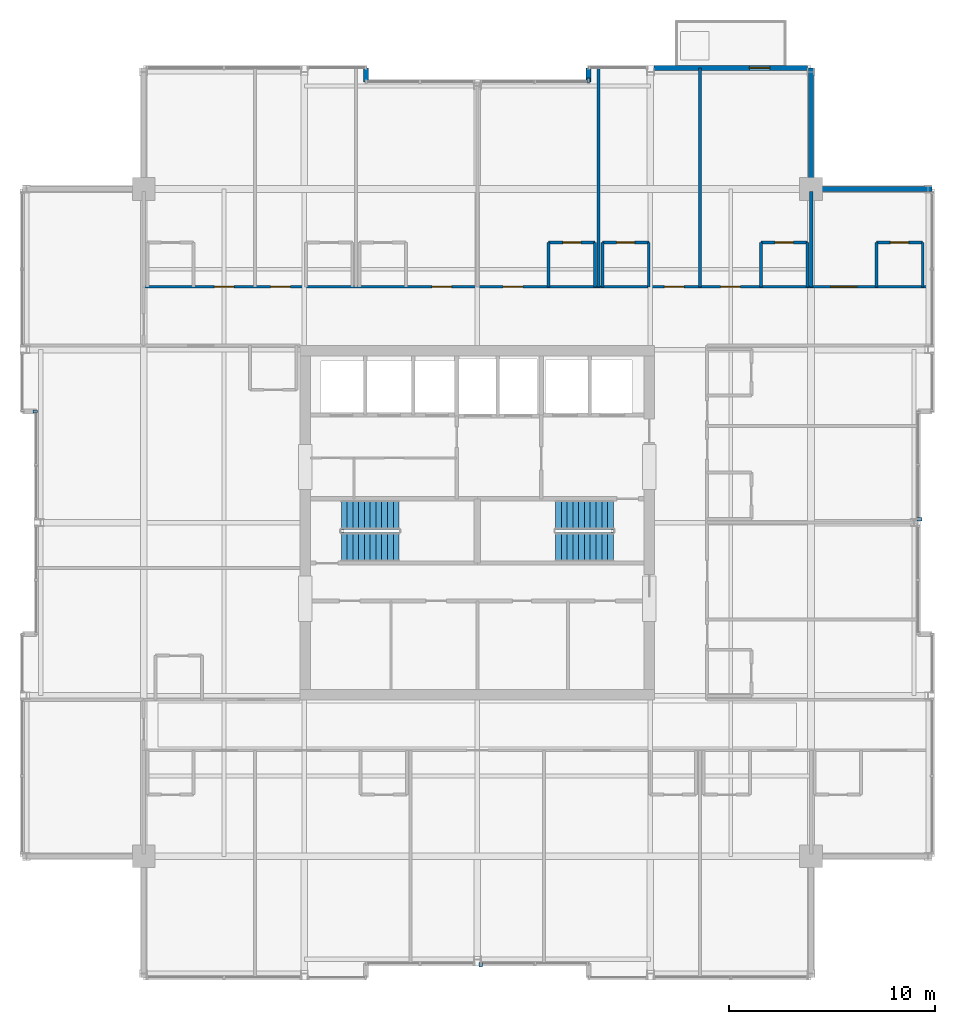
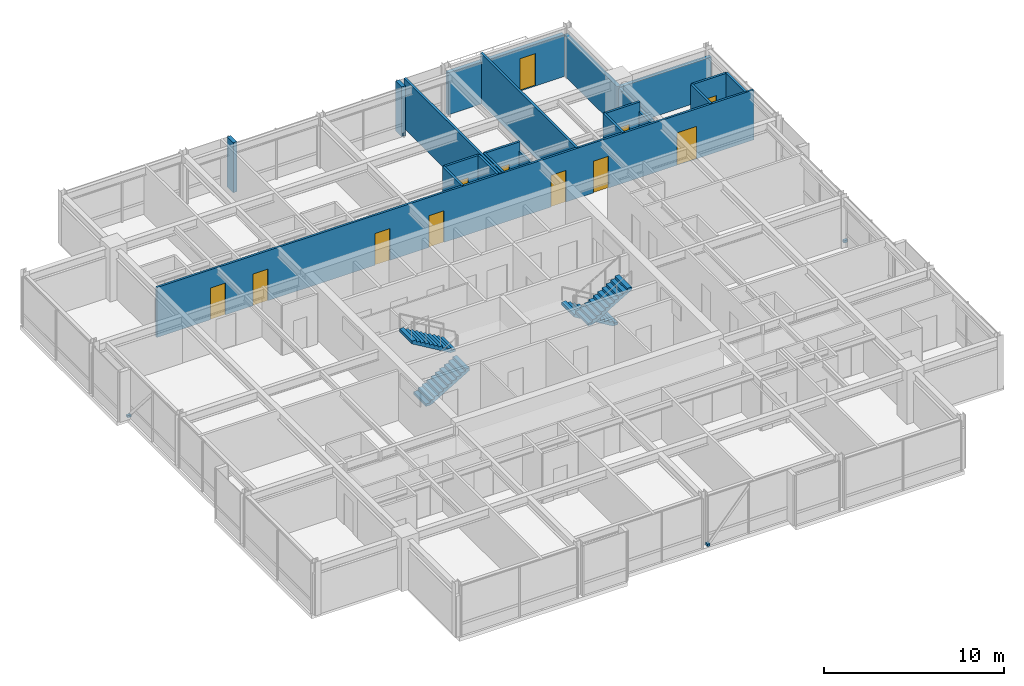
# One storey, part 31 of 34: 21 walls, 12 doors, 4 discrete accessories, 4 stair flights, 12 openings, 2 elements without a shape of their own.
"""IFC4 building model written with IfcOpenShell, lengths in metres."""

from ifc_helpers import new_model, si_unit, direction, frame, frame_2d, origin, origin_2d, place, context, subcontext, project, spatial, polyline, rectangle, outline, extrude, material, layer, layer_set, type_object, element, fill, aggregate, save


model = new_model("IFC4")

# Units and contexts
model_context = context("Model", 3, precision=1e-05, world=origin(), true_north=direction((0.0, 1.0)))
body_context = subcontext(model_context, "Body", "Model", "MODEL_VIEW")
ifc_project = project(units=[si_unit("LENGTHUNIT", "METRE"), si_unit("AREAUNIT", "SQUARE_METRE"), si_unit("VOLUMEUNIT", "CUBIC_METRE"), si_unit("PLANEANGLEUNIT", "RADIAN"), si_unit("MASSUNIT", "GRAM", prefix="KILO")], contexts=[model_context])

# Site, building, storey
site_placement = place(None, origin())
site = spatial("IfcSite", under=ifc_project, at=site_placement, CompositionType="ELEMENT")
building_placement = place(site_placement, origin())
building = spatial("IfcBuilding", under=site, at=building_placement, Name="Drelvath Grand Hotel", CompositionType="ELEMENT")
storey_placement = place(building_placement, frame((0.0, 0.0, 272.300048828125)))
storey = spatial("IfcBuildingStorey", under=building, at=storey_placement, Name="L71", CompositionType="ELEMENT", Elevation=272.300048828125)

# Wall, openings, doors
ifc_material_1 = material(Name="Gypsum Fireboard Partition")
ifc_layer_1 = layer(ifc_material_1, 0.135009765625)
ifc_layer_set_1 = layer_set([ifc_layer_1], Name="Gypsum Fireboard Partition")
wall_type_1 = type_object("IfcWallType", Name="Corridor Fire Barrier Wall 135", PredefinedType="PARTITIONING", material=ifc_layer_set_1)
wall_1_placement = place(storey_placement, frame((-16.199951171875, 38.449951171875, 0.0), z_axis=(0.0, 0.0, 1.0), x_axis=(1.0, 0.0, 0.0)))
wall_1 = element("IfcWall", 1, at=wall_1_placement, inside=storey, type_object=wall_type_1, Name="L71 North Cross-Gallery Wall", PredefinedType="PARTITIONING", context=body_context, shape_type="SweptSolid", body=[
    extrude(rectangle(XDim=38.280029296875, YDim=0.135009765625, at=frame_2d((19.14013671875, 0.0))), origin(), (0.0, 0.0, 1.0), 3.389892578125),
])
opening_1_placement = place(wall_1_placement, frame((33.35498046875, 0.0, 0.0)))
opening_1 = element("IfcOpeningElement", 2, at=opening_1_placement, cuts=wall_1, Name="Opening D-T5G1-025", PredefinedType="OPENING", context=body_context, shape_type="SweptSolid", body=[
    extrude(rectangle(XDim=1.260009765625, YDim=2.199951171875, at=frame_2d((0.6298828125, 1.10009765625))), frame((0.0, 0.077392578125, 0.0), z_axis=(0.0, -1.0, 0.0), x_axis=(1.0, 0.0, 0.0)), (0.0, 0.0, 1.0), 0.155029296875),
])
opening_2_placement = place(wall_1_placement, frame((3.43505859375, 0.0, 0.0)))
opening_2 = element("IfcOpeningElement", 3, at=opening_2_placement, cuts=wall_1, Name="Opening D-T5G1-036", PredefinedType="OPENING", context=body_context, shape_type="SweptSolid", body=[
    extrude(rectangle(XDim=0.9599609375, YDim=2.14990234375, at=frame_2d((0.47998046875, 1.074951171875))), frame((0.0, 0.077392578125, 0.0), z_axis=(0.0, -1.0, 0.0), x_axis=(1.0, 0.0, 0.0)), (0.0, 0.0, 1.0), 0.155029296875),
])
opening_3_placement = place(wall_1_placement, frame((6.15966796875, 0.0, 0.0)))
opening_3 = element("IfcOpeningElement", 4, at=opening_3_placement, cuts=wall_1, Name="Opening D-T5G1-038", PredefinedType="OPENING", context=body_context, shape_type="SweptSolid", body=[
    extrude(rectangle(XDim=0.9599609375, YDim=2.14990234375, at=frame_2d((0.47998046875, 1.074951171875))), frame((0.0, 0.077392578125, 0.0), z_axis=(0.0, -1.0, 0.0), x_axis=(1.0, 0.0, 0.0)), (0.0, 0.0, 1.0), 0.155029296875),
])
opening_4_placement = place(wall_1_placement, frame((13.989501953125, 0.0, 0.0)))
opening_4 = element("IfcOpeningElement", 5, at=opening_4_placement, cuts=wall_1, Name="Opening D-T5G1-040", PredefinedType="OPENING", context=body_context, shape_type="SweptSolid", body=[
    extrude(rectangle(XDim=0.9599609375, YDim=2.14990234375, at=frame_2d((0.47998046875, 1.074951171875))), frame((0.0, 0.077392578125, 0.0), z_axis=(0.0, -1.0, 0.0), x_axis=(1.0, 0.0, 0.0)), (0.0, 0.0, 1.0), 0.155029296875),
])
opening_5_placement = place(wall_1_placement, frame((17.450439453125, 0.0, 0.0)))
opening_5 = element("IfcOpeningElement", 6, at=opening_5_placement, cuts=wall_1, Name="Opening D-T5G1-042", PredefinedType="OPENING", context=body_context, shape_type="SweptSolid", body=[
    extrude(rectangle(XDim=0.9599609375, YDim=2.14990234375, at=frame_2d((0.47998046875, 1.074951171875))), frame((0.0, 0.077392578125, 0.0), z_axis=(0.0, -1.0, 0.0), x_axis=(1.0, 0.0, 0.0)), (0.0, 0.0, 1.0), 0.155029296875),
])
opening_6_placement = place(wall_1_placement, frame((25.280517578125, 0.0, 0.0)))
opening_6 = element("IfcOpeningElement", 7, at=opening_6_placement, cuts=wall_1, Name="Opening D-T5G1-044", PredefinedType="OPENING", context=body_context, shape_type="SweptSolid", body=[
    extrude(rectangle(XDim=0.9599609375, YDim=2.14990234375, at=frame_2d((0.47998046875, 1.074951171875))), frame((0.0, 0.077392578125, 0.0), z_axis=(0.0, -1.0, 0.0), x_axis=(1.0, 0.0, 0.0)), (0.0, 0.0, 1.0), 0.155029296875),
])
opening_7_placement = place(wall_1_placement, frame((28.0048828125, 0.0, 0.0)))
opening_7 = element("IfcOpeningElement", 8, at=opening_7_placement, cuts=wall_1, Name="Opening D-T5G1-046", PredefinedType="OPENING", context=body_context, shape_type="SweptSolid", body=[
    extrude(rectangle(XDim=0.9599609375, YDim=2.14990234375, at=frame_2d((0.47998046875, 1.074951171875))), frame((0.0, 0.077392578125, 0.0), z_axis=(0.0, -1.0, 0.0), x_axis=(1.0, 0.0, 0.0)), (0.0, 0.0, 1.0), 0.155029296875),
])
ifc_material_2 = material(Name="Hardwood Walnut Timber", Category="wood")
door_type_1 = type_object("IfcDoorType", Name="Guestroom Entrance Fire Door 960x2150", OperationType="NOTDEFINED", PredefinedType="DOOR", material=ifc_material_2)
door_1_placement = place(opening_2_placement, origin())
door_1 = element("IfcDoor", 9, at=door_1_placement, inside=storey, type_object=door_type_1, Name="L71 King Guest Room Entry Door", OperationType="SINGLE_SWING_LEFT", OverallHeight=2.14990234375, OverallWidth=0.9599609375, PredefinedType="DOOR", context=body_context, shape_type="SweptSolid", body=[
    extrude(rectangle(XDim=0.9599609375, YDim=2.14990234375, at=frame_2d((0.47998046875, 1.074951171875))), frame((0.0, 0.02490234375, 0.0), z_axis=(0.0, -1.0, 0.0), x_axis=(1.0, 0.0, 0.0)), (0.0, 0.0, 1.0), 0.050048828125),
])
fill(opening_2, door_1)
door_2_placement = place(opening_3_placement, origin())
door_2 = element("IfcDoor", 10, at=door_2_placement, inside=storey, type_object=door_type_1, Name="L71 King Guest Room Entry Door", OperationType="SINGLE_SWING_LEFT", OverallHeight=2.14990234375, OverallWidth=0.9599609375, PredefinedType="DOOR", context=body_context, shape_type="SweptSolid", body=[
    extrude(rectangle(XDim=0.9599609375, YDim=2.14990234375, at=frame_2d((0.47998046875, 1.074951171875))), frame((0.0, 0.02490234375, 0.0), z_axis=(0.0, -1.0, 0.0), x_axis=(1.0, 0.0, 0.0)), (0.0, 0.0, 1.0), 0.050048828125),
])
fill(opening_3, door_2)
door_3_placement = place(opening_4_placement, origin())
door_3 = element("IfcDoor", 11, at=door_3_placement, inside=storey, type_object=door_type_1, Name="L71 King Guest Room Entry Door", OperationType="SINGLE_SWING_LEFT", OverallHeight=2.14990234375, OverallWidth=0.9599609375, PredefinedType="DOOR", context=body_context, shape_type="SweptSolid", body=[
    extrude(rectangle(XDim=0.9599609375, YDim=2.14990234375, at=frame_2d((0.47998046875, 1.074951171875))), frame((0.0, 0.02490234375, 0.0), z_axis=(0.0, -1.0, 0.0), x_axis=(1.0, 0.0, 0.0)), (0.0, 0.0, 1.0), 0.050048828125),
])
fill(opening_4, door_3)
door_4_placement = place(opening_5_placement, origin())
door_4 = element("IfcDoor", 12, at=door_4_placement, inside=storey, type_object=door_type_1, Name="L71 King Guest Room Entry Door", OperationType="SINGLE_SWING_LEFT", OverallHeight=2.14990234375, OverallWidth=0.9599609375, PredefinedType="DOOR", context=body_context, shape_type="SweptSolid", body=[
    extrude(rectangle(XDim=0.9599609375, YDim=2.14990234375, at=frame_2d((0.47998046875, 1.074951171875))), frame((0.0, 0.02490234375, 0.0), z_axis=(0.0, -1.0, 0.0), x_axis=(1.0, 0.0, 0.0)), (0.0, 0.0, 1.0), 0.050048828125),
])
fill(opening_5, door_4)
door_5_placement = place(opening_6_placement, origin())
door_5 = element("IfcDoor", 13, at=door_5_placement, inside=storey, type_object=door_type_1, Name="L71 King Guest Room Entry Door", OperationType="SINGLE_SWING_LEFT", OverallHeight=2.14990234375, OverallWidth=0.9599609375, PredefinedType="DOOR", context=body_context, shape_type="SweptSolid", body=[
    extrude(rectangle(XDim=0.9599609375, YDim=2.14990234375, at=frame_2d((0.47998046875, 1.074951171875))), frame((0.0, 0.02490234375, 0.0), z_axis=(0.0, -1.0, 0.0), x_axis=(1.0, 0.0, 0.0)), (0.0, 0.0, 1.0), 0.050048828125),
])
fill(opening_6, door_5)
door_6_placement = place(opening_7_placement, origin())
door_6 = element("IfcDoor", 14, at=door_6_placement, inside=storey, type_object=door_type_1, Name="L71 King Guest Room Entry Door", OperationType="SINGLE_SWING_LEFT", OverallHeight=2.14990234375, OverallWidth=0.9599609375, PredefinedType="DOOR", context=body_context, shape_type="SweptSolid", body=[
    extrude(rectangle(XDim=0.9599609375, YDim=2.14990234375, at=frame_2d((0.47998046875, 1.074951171875))), frame((0.0, 0.02490234375, 0.0), z_axis=(0.0, -1.0, 0.0), x_axis=(1.0, 0.0, 0.0)), (0.0, 0.0, 1.0), 0.050048828125),
])
fill(opening_7, door_6)
door_type_2 = type_object("IfcDoorType", Name="Suite Entrance Fire Door 1260x2200", OperationType="NOTDEFINED", PredefinedType="DOOR", material=ifc_material_2)
door_7_placement = place(opening_1_placement, origin())
door_7 = element("IfcDoor", 15, at=door_7_placement, inside=storey, type_object=door_type_2, Name="L71 Royal Suite Entry Door", OperationType="SINGLE_SWING_RIGHT", OverallHeight=2.199951171875, OverallWidth=1.260009765625, PredefinedType="DOOR", context=body_context, shape_type="SweptSolid", body=[
    extrude(rectangle(XDim=1.260009765625, YDim=2.199951171875, at=frame_2d((0.6298828125, 1.10009765625))), frame((0.0, 0.02490234375, 0.0), z_axis=(0.0, -1.0, 0.0), x_axis=(1.0, 0.0, 0.0)), (0.0, 0.0, 1.0), 0.050048828125),
])
fill(opening_1, door_7)

# Walls
ifc_material_3 = material(Name="Moisture-Resistant Gypsum Board")
ifc_layer_2 = layer(ifc_material_3, 0.139892578125)
ifc_layer_set_2 = layer_set([ifc_layer_2], Name="Moisture-Resistant Gypsum Board")
wall_type_2 = type_object("IfcWallType", Name="En-Suite Plumbing Wall 140", PredefinedType="PLUMBINGWALL", material=ifc_layer_set_2)
for number, where, z_axis, x_axis, name in (
    (16, (19.3701171875, 38.449951171875, 0.0), (0.0, 0.0, 1.0), (0.0, 1.0, 0.0), "L71 En-Suite Left Wall"),
    (17, (21.6201171875, 38.449951171875, 0.0), (0.0, 0.0, 1.0), (0.0, 1.0, 0.0), "L71 En-Suite Right Wall"),
):
    element("IfcWall", number, at=place(storey_placement, frame(where, z_axis=z_axis, x_axis=x_axis)), inside=storey, type_object=wall_type_2, Name=name, PredefinedType="PLUMBINGWALL", context=body_context, shape_type="SweptSolid", body=[
        extrude(rectangle(XDim=2.150146484375, YDim=0.139892578125, at=frame_2d((1.0751953125, 0.0))), origin(), (0.0, 0.0, 1.0), 3.389892578125),
    ])

# Wall, opening, door
wall_2_placement = place(storey_placement, frame((19.3701171875, 40.60009765625, 0.0), z_axis=(0.0, 0.0, 1.0), x_axis=(1.0, 0.0, 0.0)))
wall_2 = element("IfcWall", 18, at=wall_2_placement, inside=storey, type_object=wall_type_2, Name="L71 En-Suite Front Wall", PredefinedType="PLUMBINGWALL", context=body_context, shape_type="SweptSolid", body=[
    extrude(rectangle(XDim=2.25, YDim=0.139892578125, at=frame_2d((1.125, 0.0))), origin(), (0.0, 0.0, 1.0), 3.389892578125),
])
opening_8_placement = place(wall_2_placement, frame((0.68505859375, 0.0, 0.0)))
opening_8 = element("IfcOpeningElement", 19, at=opening_8_placement, cuts=wall_2, Name="Opening D-T5G1-024", PredefinedType="OPENING", context=body_context, shape_type="SweptSolid", body=[
    extrude(rectangle(XDim=0.8798828125, YDim=2.10009765625, at=frame_2d((0.43994140625, 1.050048828125))), frame((0.0, 0.079833984375, 0.0), z_axis=(0.0, -1.0, 0.0), x_axis=(1.0, 0.0, 0.0)), (0.0, 0.0, 1.0), 0.159912109375),
])
door_type_3 = type_object("IfcDoorType", Name="En-Suite Bathroom Door 880x2100", OperationType="NOTDEFINED", PredefinedType="DOOR", material=ifc_material_2)
door_8_placement = place(opening_8_placement, origin())
door_8 = element("IfcDoor", 20, at=door_8_placement, inside=storey, type_object=door_type_3, Name="L71 En-Suite Bathroom Door", OperationType="SINGLE_SWING_LEFT", OverallHeight=2.10009765625, OverallWidth=0.8798828125, PredefinedType="DOOR", context=body_context, shape_type="SweptSolid", body=[
    extrude(rectangle(XDim=0.8798828125, YDim=2.10009765625, at=frame_2d((0.43994140625, 1.050048828125))), frame((0.0, 0.02490234375, 0.0), z_axis=(0.0, -1.0, 0.0), x_axis=(1.0, 0.0, 0.0)), (0.0, 0.0, 1.0), 0.050048828125),
])
fill(opening_8, door_8)

# Walls
for number, where, z_axis, x_axis, name in (
    (21, (3.4609375, 38.449951171875, 0.0), (0.0, 0.0, 1.0), (0.0, 1.0, 0.0), "L71 En-Suite Left Wall"),
    (22, (5.7109375, 38.449951171875, 0.0), (0.0, 0.0, 1.0), (0.0, 1.0, 0.0), "L71 En-Suite Right Wall"),
):
    element("IfcWall", number, at=place(storey_placement, frame(where, z_axis=z_axis, x_axis=x_axis)), inside=storey, type_object=wall_type_2, Name=name, PredefinedType="PLUMBINGWALL", context=body_context, shape_type="SweptSolid", body=[
        extrude(rectangle(XDim=2.150146484375, YDim=0.139892578125, at=frame_2d((1.0751953125, 0.0))), origin(), (0.0, 0.0, 1.0), 3.389892578125),
    ])

# Wall, opening, door
wall_3_placement = place(storey_placement, frame((3.4609375, 40.60009765625, 0.0), z_axis=(0.0, 0.0, 1.0), x_axis=(1.0, 0.0, 0.0)))
wall_3 = element("IfcWall", 23, at=wall_3_placement, inside=storey, type_object=wall_type_2, Name="L71 En-Suite Front Wall", PredefinedType="PLUMBINGWALL", context=body_context, shape_type="SweptSolid", body=[
    extrude(rectangle(XDim=2.25, YDim=0.139892578125, at=frame_2d((1.125, 0.0))), origin(), (0.0, 0.0, 1.0), 3.389892578125),
])
opening_9_placement = place(wall_3_placement, frame((0.68505859375, 0.0, 0.0)))
opening_9 = element("IfcOpeningElement", 24, at=opening_9_placement, cuts=wall_3, Name="Opening D-T5G1-041", PredefinedType="OPENING", context=body_context, shape_type="SweptSolid", body=[
    extrude(rectangle(XDim=0.8798828125, YDim=2.10009765625, at=frame_2d((0.43994140625, 1.050048828125))), frame((0.0, 0.079833984375, 0.0), z_axis=(0.0, -1.0, 0.0), x_axis=(1.0, 0.0, 0.0)), (0.0, 0.0, 1.0), 0.159912109375),
])
door_9_placement = place(opening_9_placement, origin())
door_9 = element("IfcDoor", 25, at=door_9_placement, inside=storey, type_object=door_type_3, Name="L71 En-Suite Bathroom Door", OperationType="SINGLE_SWING_RIGHT", OverallHeight=2.10009765625, OverallWidth=0.8798828125, PredefinedType="DOOR", context=body_context, shape_type="SweptSolid", body=[
    extrude(rectangle(XDim=0.8798828125, YDim=2.10009765625, at=frame_2d((0.43994140625, 1.050048828125))), frame((0.0, 0.02490234375, 0.0), z_axis=(0.0, -1.0, 0.0), x_axis=(1.0, 0.0, 0.0)), (0.0, 0.0, 1.0), 0.050048828125),
])
fill(opening_9, door_9)

# Walls
wall_4_placement = place(storey_placement, frame((6.07080078125, 38.449951171875, 0.0), z_axis=(0.0, 0.0, 1.0), x_axis=(0.0, 1.0, 0.0)))
element("IfcWall", 26, at=wall_4_placement, inside=storey, type_object=wall_type_2, Name="L71 En-Suite Left Wall", PredefinedType="PLUMBINGWALL", context=body_context, shape_type="SweptSolid", body=[
    extrude(rectangle(XDim=2.150146484375, YDim=0.139892578125, at=frame_2d((1.0751953125, 0.0))), origin(), (0.0, 0.0, 1.0), 3.389892578125),
])
wall_5_placement = place(storey_placement, frame((8.32080078125, 38.449951171875, 0.0), z_axis=(0.0, 0.0, 1.0), x_axis=(0.0, 1.0, 0.0)))
element("IfcWall", 27, at=wall_5_placement, inside=storey, type_object=wall_type_2, Name="L71 En-Suite Right Wall", PredefinedType="PLUMBINGWALL", context=body_context, shape_type="SweptSolid", body=[
    extrude(rectangle(XDim=2.150146484375, YDim=0.139892578125, at=frame_2d((1.0751953125, 0.0))), origin(), (0.0, 0.0, 1.0), 2.767333984375),
])

# Wall, opening, door
wall_6_placement = place(storey_placement, frame((6.07080078125, 40.60009765625, 0.0), z_axis=(0.0, 0.0, 1.0), x_axis=(1.0, 0.0, 0.0)))
wall_6 = element("IfcWall", 28, at=wall_6_placement, inside=storey, type_object=wall_type_2, Name="L71 En-Suite Front Wall", PredefinedType="PLUMBINGWALL", context=body_context, shape_type="SweptSolid", body=[
    extrude(rectangle(XDim=2.25, YDim=0.139892578125, at=frame_2d((1.125, 0.0))), origin(), (0.0, 0.0, 1.0), 3.389892578125),
])
opening_10_placement = place(wall_6_placement, frame((0.68505859375, 0.0, 0.0)))
opening_10 = element("IfcOpeningElement", 29, at=opening_10_placement, cuts=wall_6, Name="Opening D-T5G1-043", PredefinedType="OPENING", context=body_context, shape_type="SweptSolid", body=[
    extrude(rectangle(XDim=0.8798828125, YDim=2.10009765625, at=frame_2d((0.43994140625, 1.050048828125))), frame((0.0, 0.079833984375, 0.0), z_axis=(0.0, -1.0, 0.0), x_axis=(1.0, 0.0, 0.0)), (0.0, 0.0, 1.0), 0.159912109375),
])
door_10_placement = place(opening_10_placement, origin())
door_10 = element("IfcDoor", 30, at=door_10_placement, inside=storey, type_object=door_type_3, Name="L71 En-Suite Bathroom Door", OperationType="SINGLE_SWING_RIGHT", OverallHeight=2.10009765625, OverallWidth=0.8798828125, PredefinedType="DOOR", context=body_context, shape_type="SweptSolid", body=[
    extrude(rectangle(XDim=0.8798828125, YDim=2.10009765625, at=frame_2d((0.43994140625, 1.050048828125))), frame((0.0, 0.02490234375, 0.0), z_axis=(0.0, -1.0, 0.0), x_axis=(1.0, 0.0, 0.0)), (0.0, 0.0, 1.0), 0.050048828125),
])
fill(opening_10, door_10)

# Walls
wall_7_placement = place(storey_placement, frame((13.77001953125, 38.449951171875, 0.0), z_axis=(0.0, 0.0, 1.0), x_axis=(0.0, 1.0, 0.0)))
element("IfcWall", 31, at=wall_7_placement, inside=storey, type_object=wall_type_2, Name="L71 En-Suite Left Wall", PredefinedType="PLUMBINGWALL", context=body_context, shape_type="SweptSolid", body=[
    extrude(rectangle(XDim=2.150146484375, YDim=0.139892578125, at=frame_2d((1.0751953125, 0.0))), origin(), (0.0, 0.0, 1.0), 3.389892578125),
])
wall_8_placement = place(storey_placement, frame((16.02001953125, 38.449951171875, 0.0), z_axis=(0.0, 0.0, 1.0), x_axis=(0.0, 1.0, 0.0)))
element("IfcWall", 32, at=wall_8_placement, inside=storey, type_object=wall_type_2, Name="L71 En-Suite Right Wall", PredefinedType="PLUMBINGWALL", context=body_context, shape_type="SweptSolid", body=[
    extrude(rectangle(XDim=2.150146484375, YDim=0.139892578125, at=frame_2d((1.0751953125, 0.0))), origin(), (0.0, 0.0, 1.0), 2.763916015625),
])

# Wall, opening, door
wall_9_placement = place(storey_placement, frame((13.77001953125, 40.60009765625, 0.0), z_axis=(0.0, 0.0, 1.0), x_axis=(1.0, 0.0, 0.0)))
wall_9 = element("IfcWall", 33, at=wall_9_placement, inside=storey, type_object=wall_type_2, Name="L71 En-Suite Front Wall", PredefinedType="PLUMBINGWALL", context=body_context, shape_type="SweptSolid", body=[
    extrude(rectangle(XDim=2.25, YDim=0.139892578125, at=frame_2d((1.125, 0.0))), origin(), (0.0, 0.0, 1.0), 3.389892578125),
])
opening_11_placement = place(wall_9_placement, frame((0.68505859375, 0.0, 0.0)))
opening_11 = element("IfcOpeningElement", 34, at=opening_11_placement, cuts=wall_9, Name="Opening D-T5G1-045", PredefinedType="OPENING", context=body_context, shape_type="SweptSolid", body=[
    extrude(rectangle(XDim=0.8798828125, YDim=2.10009765625, at=frame_2d((0.43994140625, 1.050048828125))), frame((0.0, 0.079833984375, 0.0), z_axis=(0.0, -1.0, 0.0), x_axis=(1.0, 0.0, 0.0)), (0.0, 0.0, 1.0), 0.159912109375),
])
door_11_placement = place(opening_11_placement, origin())
door_11 = element("IfcDoor", 35, at=door_11_placement, inside=storey, type_object=door_type_3, Name="L71 En-Suite Bathroom Door", OperationType="SINGLE_SWING_RIGHT", OverallHeight=2.10009765625, OverallWidth=0.8798828125, PredefinedType="DOOR", context=body_context, shape_type="SweptSolid", body=[
    extrude(rectangle(XDim=0.8798828125, YDim=2.10009765625, at=frame_2d((0.43994140625, 1.050048828125))), frame((0.0, 0.02490234375, 0.0), z_axis=(0.0, -1.0, 0.0), x_axis=(1.0, 0.0, 0.0)), (0.0, 0.0, 1.0), 0.050048828125),
])
fill(opening_11, door_11)

# Walls
ifc_material_4 = material(Name="Gypsum Acoustic Partition")
ifc_layer_3 = layer(ifc_material_4, 0.14990234375)
ifc_layer_set_3 = layer_set([ifc_layer_3], Name="Gypsum Acoustic Partition")
wall_type_3 = type_object("IfcWallType", Name="Guestroom Demising Wall 150", PredefinedType="PARTITIONING", material=ifc_layer_set_3)
for number, where, z_axis, x_axis, name in (
    (36, (5.890869140625, 38.449951171875, 0.0), (0.0, 0.0, 1.0), (0.0, 1.0, 0.0), "L71 North Demising 4"),
    (37, (10.800048828125, 38.449951171875, 0.0), (0.0, 0.0, 1.0), (0.0, 1.0, 0.0), "L71 North Demising 5"),
):
    element("IfcWall", number, at=place(storey_placement, frame(where, z_axis=z_axis, x_axis=x_axis)), inside=storey, type_object=wall_type_3, Name=name, PredefinedType="PARTITIONING", context=body_context, shape_type="SweptSolid", body=[
        extrude(rectangle(XDim=10.630126953125, YDim=0.14990234375, at=frame_2d((5.31494140625, 0.0))), origin(), (0.0, 0.0, 1.0), 3.389892578125),
    ])
ifc_layer_4 = layer(ifc_material_4, 0.1650390625)
ifc_layer_set_4 = layer_set([ifc_layer_4], Name="Gypsum Acoustic Partition")
wall_type_4 = type_object("IfcWallType", Name="Suite Demising Wall 165", PredefinedType="PARTITIONING", material=ifc_layer_set_4)
wall_10_placement = place(storey_placement, frame((16.199951171875, 38.449951171875, 0.0), z_axis=(0.0, 0.0, 1.0), x_axis=(0.0, 1.0, 0.0)))
element("IfcWall", 38, at=wall_10_placement, inside=storey, type_object=wall_type_4, Name="L71 NE Suite Wall", PredefinedType="PARTITIONING", context=body_context, shape_type="SweptSolid", body=[
    extrude(rectangle(XDim=4.630126953125, YDim=0.1650390625, at=frame_2d((2.31494140625, 0.0))), origin(), (0.0, 0.0, 1.0), 2.763916015625),
])

# Wall, opening, door
ifc_material_5 = material(Name="Pale-Metal Insulated Aluminium Spandrel Assembly", Category="aluminium")
ifc_layer_5 = layer(ifc_material_5, 0.239990234375)
ifc_layer_set_5 = layer_set([ifc_layer_5], Name="Pale-Metal Insulated Aluminium Spandrel Assembly")
wall_type_5 = type_object("IfcWallType", Name="Tower Insulated Metal Spandrel Closure Wall 240", PredefinedType="STANDARD", material=ifc_layer_set_5)
wall_11_placement = place(storey_placement, frame((8.570068359375, 49.080078125, 0.0), z_axis=(0.0, 0.0, 1.0), x_axis=(1.0, 0.0, 0.0)))
wall_11 = element("IfcWall", 39, at=wall_11_placement, inside=storey, type_object=wall_type_5, Name="L71 Exterior Terrace Door Bay Wall NE2", PredefinedType="STANDARD", context=body_context, shape_type="SweptSolid", body=[
    extrude(rectangle(XDim=7.459716796875, YDim=0.239990234375, at=frame_2d((3.72998046875, 0.0))), origin(), (0.0, 0.0, 1.0), 2.853271484375),
])
opening_12_placement = place(wall_11_placement, frame((4.6298828125, 0.0, 0.0)))
opening_12 = element("IfcOpeningElement", 40, at=opening_12_placement, cuts=wall_11, Name="Opening TD-1000", PredefinedType="OPENING", context=body_context, shape_type="SweptSolid", body=[
    extrude(rectangle(XDim=1.0, YDim=2.199951171875, at=frame_2d((0.5, 1.10009765625))), frame((0.0, 0.1298828125, 0.0), z_axis=(0.0, -1.0, 0.0), x_axis=(1.0, 0.0, 0.0)), (0.0, 0.0, 1.0), 0.260009765625),
])
ifc_material_6 = material(Name="Anodised Aluminium Thermally Broken Glazed Door", Category="aluminium")
door_type_4 = type_object("IfcDoorType", Name="Terrace and Tree Balcony Glazed Door 1000x2200", OperationType="NOTDEFINED", PredefinedType="DOOR", material=ifc_material_6)
door_12_placement = place(opening_12_placement, origin())
door_12 = element("IfcDoor", 41, at=door_12_placement, inside=storey, type_object=door_type_4, Name="L71 Tree Balcony Door DOOR-L71-TBAL-1", OperationType="SINGLE_SWING_LEFT", OverallHeight=2.199951171875, OverallWidth=1.0, PredefinedType="DOOR", context=body_context, shape_type="SweptSolid", body=[
    extrude(rectangle(XDim=1.0, YDim=2.199951171875, at=frame_2d((0.5, 1.10009765625))), frame((0.0, 0.02490234375, 0.0), z_axis=(0.0, -1.0, 0.0), x_axis=(1.0, 0.0, 0.0)), (0.0, 0.0, 1.0), 0.050048828125),
])
fill(opening_12, door_12)

# Walls
for number, where, z_axis, x_axis, name in (
    (42, (16.199951171875, 49.080078125, 0.0), (0.0, 0.0, 1.0), (0.0, -1.0, 0.0), "L71 Notched Corner Return Spandrel Wall CNE1"),
    (43, (16.199951171875, 43.199951171875, 0.0), (0.0, 0.0, 1.0), (1.0, 0.0, 0.0), "L71 Notched Corner Return Spandrel Wall CNE2"),
):
    element("IfcWall", number, at=place(storey_placement, frame(where, z_axis=z_axis, x_axis=x_axis)), inside=storey, type_object=wall_type_5, Name=name, PredefinedType="STANDARD", context=body_context, shape_type="SweptSolid", body=[
        extrude(rectangle(XDim=5.880126953125, YDim=0.239990234375, at=frame_2d((2.93994140625, 0.0))), origin(), (0.0, 0.0, 1.0), 2.779052734375),
    ])
for number, where, z_axis, x_axis, name in (
    (44, (-5.39990234375, 49.080078125, 0.0), (0.0, 0.0, 1.0), (0.0, -1.0, 0.0), "L71 Notched Corner Return Spandrel Wall RN1"),
    (45, (5.39990234375, 48.39990234375, 0.0), (0.0, 0.0, 1.0), (0.0, 1.0, 0.0), "L71 Notched Corner Return Spandrel Wall RN2"),
):
    element("IfcWall", number, at=place(storey_placement, frame(where, z_axis=z_axis, x_axis=x_axis)), inside=storey, type_object=wall_type_5, Name=name, PredefinedType="STANDARD", context=body_context, shape_type="SweptSolid", body=[
        extrude(rectangle(XDim=0.68017578125, YDim=0.239990234375, at=frame_2d((0.340087890625, 0.0))), origin(), (0.0, 0.0, 1.0), 3.389892578125),
    ])

# Stair, stair flights
ifc_material_7 = material(Name="Concrete C40/50", Category="concrete")
stair_type = type_object("IfcStairType", Name="Dogleg Exit Stair W1400-R165.9", PredefinedType="HALF_TURN_STAIR", material=ifc_material_7)
stair_1_placement = place(storey_placement, origin())
stair_1 = element("IfcStair", 46, at=stair_1_placement, inside=storey, type_object=stair_type, Name="L71 Core Exit Stair ST-1", PredefinedType="HALF_TURN_STAIR")
stair_flight_type = type_object("IfcStairFlightType", Name="Concrete Stair Flight W1400-R165.9", PredefinedType="STRAIGHT", material=ifc_material_7)
stair_flight_1_placement = place(storey_placement, frame((-6.60009765625, 25.820068359375, 0.0), z_axis=(0.0, 0.0, 1.0), x_axis=(1.0, 0.0, 0.0)))
stair_flight_1 = element("IfcStairFlight", 47, at=stair_flight_1_placement, type_object=stair_flight_type, Name="ST-1 flight 1", NumberOfRisers=11, NumberOfTreads=10, PredefinedType="STRAIGHT", RiserHeight=0.165909091, TreadLength=0.28, context=body_context, shape_type="SweptSolid", body=[
    extrude(outline(polyline([(0.0, 0.0), (0.0, 0.166015625), (0.280029296875, 0.166015625), (0.280029296875, 0.331787109375), (0.56005859375, 0.331787109375), (0.56005859375, 0.497802734375), (0.840087890625, 0.497802734375), (0.840087890625, 0.66357421875), (1.1201171875, 0.66357421875), (1.1201171875, 0.82958984375), (1.39990234375, 0.82958984375), (1.39990234375, 0.995361328125), (1.679931640625, 0.995361328125), (1.679931640625, 1.161376953125), (1.9599609375, 1.161376953125), (1.9599609375, 1.327392578125), (2.239990234375, 1.327392578125), (2.239990234375, 1.4931640625), (2.52001953125, 1.4931640625), (2.52001953125, 1.6591796875), (2.800048828125, 1.6591796875), (2.800048828125, 1.824951171875), (2.800048828125, 1.47314453125), (0.313720703125, 0.0), (0.0, 0.0)])), frame((0.0, 0.699951171875, 0.0), z_axis=(0.0, -1.0, 0.0), x_axis=(1.0, 0.0, 0.0)), (0.0, 0.0, 1.0), 1.39990234375),
])
stair_flight_2_placement = place(storey_placement, frame((-3.800048828125, 27.3798828125, 1.824951171875), z_axis=(0.0, 0.0, 1.0), x_axis=(-1.0, 0.0, 0.0)))
stair_flight_2 = element("IfcStairFlight", 48, at=stair_flight_2_placement, type_object=stair_flight_type, Name="ST-1 flight 2", NumberOfRisers=11, NumberOfTreads=10, PredefinedType="STRAIGHT", RiserHeight=0.165909091, TreadLength=0.28, context=body_context, shape_type="SweptSolid", body=[
    extrude(outline(polyline([(0.0, 0.0), (0.0, 0.166015625), (0.280029296875, 0.166015625), (0.280029296875, 0.331787109375), (0.56005859375, 0.331787109375), (0.56005859375, 0.497802734375), (0.840087890625, 0.497802734375), (0.840087890625, 0.66357421875), (1.1201171875, 0.66357421875), (1.1201171875, 0.82958984375), (1.39990234375, 0.82958984375), (1.39990234375, 0.995361328125), (1.679931640625, 0.995361328125), (1.679931640625, 1.161376953125), (1.9599609375, 1.161376953125), (1.9599609375, 1.327392578125), (2.239990234375, 1.327392578125), (2.239990234375, 1.4931640625), (2.52001953125, 1.4931640625), (2.52001953125, 1.6591796875), (2.800048828125, 1.6591796875), (2.800048828125, 1.824951171875), (2.800048828125, 1.47314453125), (0.313720703125, 0.0), (0.0, 0.0)])), frame((0.0, 0.699951171875, 0.0), z_axis=(0.0, -1.0, 0.0), x_axis=(1.0, 0.0, 0.0)), (0.0, 0.0, 1.0), 1.39990234375),
])
aggregate(stair_1, [stair_flight_1, stair_flight_2])

stair_2_placement = place(storey_placement, origin())
stair_2 = element("IfcStair", 49, at=stair_2_placement, inside=storey, type_object=stair_type, Name="L71 Core Exit Stair ST-2", PredefinedType="HALF_TURN_STAIR")
stair_flight_3_placement = place(storey_placement, frame((6.60009765625, 27.3798828125, 0.0), z_axis=(0.0, 0.0, 1.0), x_axis=(-1.0, 0.0, 0.0)))
stair_flight_3 = element("IfcStairFlight", 50, at=stair_flight_3_placement, type_object=stair_flight_type, Name="ST-2 flight 1", NumberOfRisers=11, NumberOfTreads=10, PredefinedType="STRAIGHT", RiserHeight=0.165909091, TreadLength=0.28, context=body_context, shape_type="SweptSolid", body=[
    extrude(outline(polyline([(0.0, 0.0), (0.0, 0.166015625), (0.280029296875, 0.166015625), (0.280029296875, 0.331787109375), (0.56005859375, 0.331787109375), (0.56005859375, 0.497802734375), (0.840087890625, 0.497802734375), (0.840087890625, 0.66357421875), (1.1201171875, 0.66357421875), (1.1201171875, 0.82958984375), (1.39990234375, 0.82958984375), (1.39990234375, 0.995361328125), (1.679931640625, 0.995361328125), (1.679931640625, 1.161376953125), (1.9599609375, 1.161376953125), (1.9599609375, 1.327392578125), (2.239990234375, 1.327392578125), (2.239990234375, 1.4931640625), (2.52001953125, 1.4931640625), (2.52001953125, 1.6591796875), (2.800048828125, 1.6591796875), (2.800048828125, 1.824951171875), (2.800048828125, 1.47314453125), (0.313720703125, 0.0), (0.0, 0.0)])), frame((0.0, 0.699951171875, 0.0), z_axis=(0.0, -1.0, 0.0), x_axis=(1.0, 0.0, 0.0)), (0.0, 0.0, 1.0), 1.39990234375),
])
stair_flight_4_placement = place(storey_placement, frame((3.800048828125, 25.820068359375, 1.824951171875), z_axis=(0.0, 0.0, 1.0), x_axis=(1.0, 0.0, 0.0)))
stair_flight_4 = element("IfcStairFlight", 51, at=stair_flight_4_placement, type_object=stair_flight_type, Name="ST-2 flight 2", NumberOfRisers=11, NumberOfTreads=10, PredefinedType="STRAIGHT", RiserHeight=0.165909091, TreadLength=0.28, context=body_context, shape_type="SweptSolid", body=[
    extrude(outline(polyline([(0.0, 0.0), (0.0, 0.166015625), (0.280029296875, 0.166015625), (0.280029296875, 0.331787109375), (0.56005859375, 0.331787109375), (0.56005859375, 0.497802734375), (0.840087890625, 0.497802734375), (0.840087890625, 0.66357421875), (1.1201171875, 0.66357421875), (1.1201171875, 0.82958984375), (1.39990234375, 0.82958984375), (1.39990234375, 0.995361328125), (1.679931640625, 0.995361328125), (1.679931640625, 1.161376953125), (1.9599609375, 1.161376953125), (1.9599609375, 1.327392578125), (2.239990234375, 1.327392578125), (2.239990234375, 1.4931640625), (2.52001953125, 1.4931640625), (2.52001953125, 1.6591796875), (2.800048828125, 1.6591796875), (2.800048828125, 1.824951171875), (2.800048828125, 1.47314453125), (0.313720703125, 0.0), (0.0, 0.0)])), frame((0.0, 0.699951171875, 0.0), z_axis=(0.0, -1.0, 0.0), x_axis=(1.0, 0.0, 0.0)), (0.0, 0.0, 1.0), 1.39990234375),
])
aggregate(stair_2, [stair_flight_3, stair_flight_4])

# Discrete accessories
ifc_material_8 = material(Name="Stainless Steel Grade 316", Category="steel")
discrete_accessory_type = type_object("IfcDiscreteAccessoryType", Name="Curtain Wall Fin Mounting Bracket Cleat", PredefinedType="BRACKET", material=ifc_material_8)
for number, where, z_axis, x_axis, name in (
    (52, (-21.4599609375, 32.39990234375, 0.10009765625), (0.0, 0.0, 1.0), (0.0, 1.0, 0.0), "L71 Fin Mounting Bracket CW05-L71-WM2-1"),
    (53, (21.4599609375, 27.169921875, 0.10009765625), (0.0, 0.0, 1.0), (0.0, -1.0, 0.0), "L71 Fin Mounting Bracket CW05-L71-EM2-1"),
    (54, (5.39990234375, 48.4599609375, 0.10009765625), (0.0, 0.0, 1.0), (1.0, 0.0, 0.0), "L71 Fin Mounting Bracket CW05-L71-NM2-1"),
    (55, (0.170166015625, 5.5400390625, 0.10009765625), (0.0, 0.0, 1.0), (-1.0, 0.0, 0.0), "L71 Fin Mounting Bracket CW05-L71-SM2-1"),
):
    element("IfcDiscreteAccessory", number, at=place(storey_placement, frame(where, z_axis=z_axis, x_axis=x_axis)), inside=storey, type_object=discrete_accessory_type, Name=name, PredefinedType="BRACKET", context=body_context, shape_type="SweptSolid", body=[
        extrude(rectangle(XDim=0.159912109375, YDim=0.239990234375, at=origin_2d()), origin(), (0.0, 0.0, 1.0), 0.159912109375),
    ])

save(model, "model.ifc")
